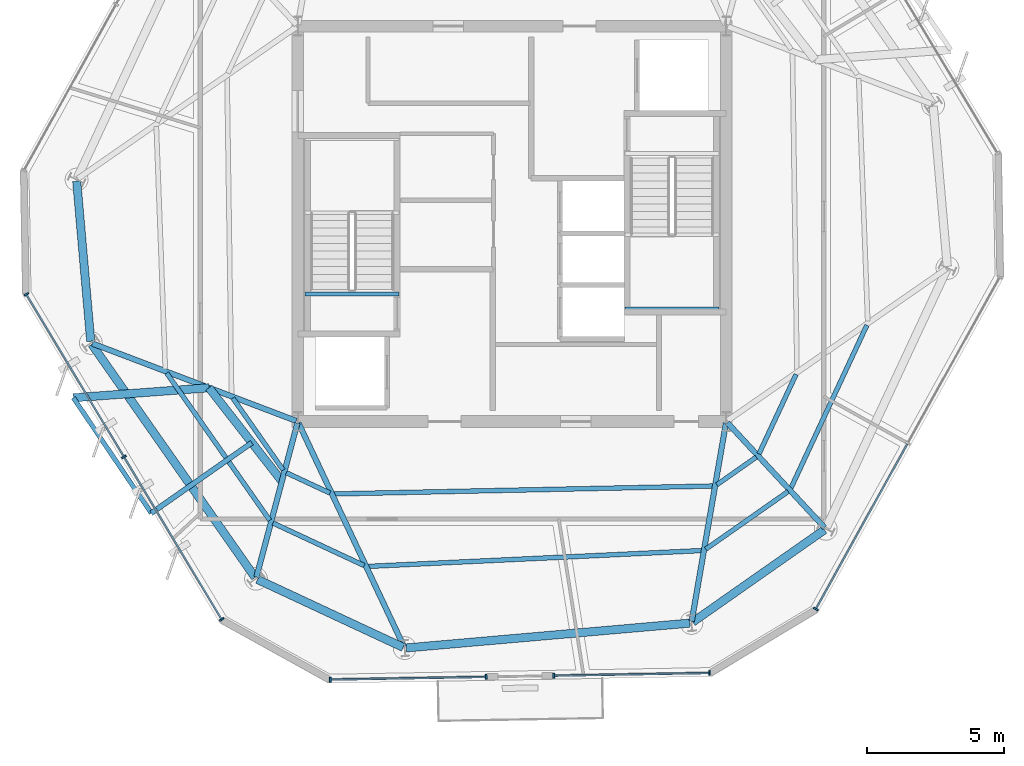
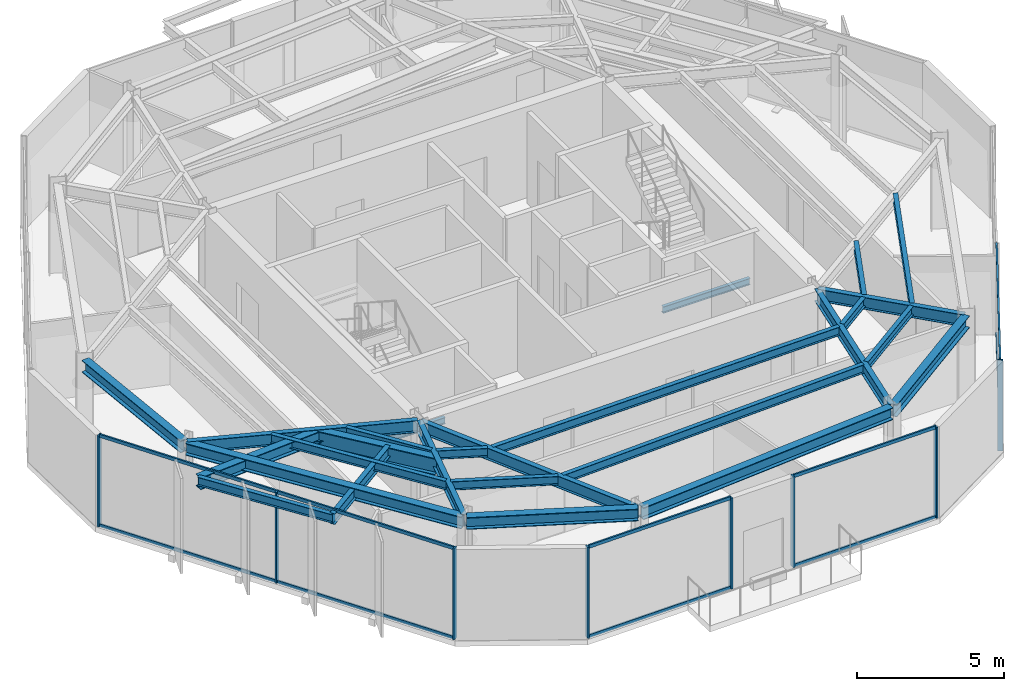
# One storey, part 2 of 12: 26 beams, 18 members, 4 elements without a shape of their own.
"""IFC4 building model written with IfcOpenShell, lengths in metres."""

from ifc_helpers import new_model, si_unit, direction, frame, origin, origin_2d, place, context, subcontext, project, spatial, rectangle, i_section, extrude, material, layer, layer_set, material_profile, profile_set, type_object, element, aggregate, save


model = new_model("IFC4")

# Units and contexts
model_context = context("Model", 3, precision=1e-05, world=origin(), true_north=direction((0.0, 1.0)))
body_context = subcontext(model_context, "Body", "Model", "MODEL_VIEW")
ifc_project = project(units=[si_unit("LENGTHUNIT", "METRE"), si_unit("AREAUNIT", "SQUARE_METRE"), si_unit("VOLUMEUNIT", "CUBIC_METRE"), si_unit("PLANEANGLEUNIT", "RADIAN"), si_unit("MASSUNIT", "GRAM", prefix="KILO")], contexts=[model_context])

# Site, building, storey
site_placement = place(None, origin())
site = spatial("IfcSite", under=ifc_project, at=site_placement, CompositionType="ELEMENT")
building_placement = place(site_placement, origin())
building = spatial("IfcBuilding", under=site, at=building_placement, Name="Kranzbogen Civic Tower", CompositionType="ELEMENT")
storey_placement = place(building_placement, frame((0.0, 0.0, 270.199951171875)))
storey = spatial("IfcBuildingStorey", under=building, at=storey_placement, Name="L65", CompositionType="ELEMENT", Elevation=270.199951171875)

# Beam
ifc_material_1 = material(Name="Steel S355", Category="steel")
ifc_material_profile_1 = material_profile(ifc_material_1, i_section(OverallWidth=0.18994140625, OverallDepth=0.449951171875, WebThickness=0.009521484375, FlangeThickness=0.0146484375, at=origin_2d()), Name="IPE 450")
ifc_profile_set_1 = profile_set([ifc_material_profile_1], Name="Steel S355")
beam_type_1 = type_object("IfcBeamType", Name="Braced Terrace Edge Beam IPE 450", PredefinedType="BEAM", material=ifc_profile_set_1)
beam_1_placement = place(storey_placement, frame((15.527099609375, 17.027099609375, 3.525146484375), z_axis=(-0.819154945562, -0.573572292882, 0.0), x_axis=(0.573572292882, -0.819154945562, 0.0)))
element("IfcBeam", 1, at=beam_1_placement, inside=storey, type_object=beam_type_1, Name="L66 back-spanned terrace beam L66-TB2-2", PredefinedType="BEAM", context=body_context, shape_type="SweptSolid", body=[
    extrude(i_section(OverallWidth=0.18994140625, OverallDepth=0.449951171875, WebThickness=0.009521484375, FlangeThickness=0.0146484375, at=origin_2d()), origin(), (0.0, 0.0, 1.0), 4.470703125),
])

# Curtain wall, members
ifc_material_2 = material(Name="Pale Anodised Aluminium", Category="aluminium")
ifc_layer = layer(ifc_material_2, 0.219970703125, Name="Pale Anodised Aluminium")
ifc_layer_set = layer_set([ifc_layer], Name="Pale Anodised Aluminium")
curtain_wall_type = type_object("IfcCurtainWallType", Name="Zone 4 Stick Curtain Wall System CW-05", PredefinedType="USERDEFINED", material=ifc_layer_set)
curtain_wall_1_placement = place(storey_placement, origin())
curtain_wall_1 = element("IfcCurtainWall", 2, at=curtain_wall_1_placement, inside=storey, type_object=curtain_wall_type, Name="L65 curtain wall CW-L65-F3", ObjectType="STICK CURTAIN WALL", PredefinedType="USERDEFINED")
ifc_material_profile_2 = material_profile(ifc_material_2, rectangle(XDim=0.06494140625, YDim=0.179931640625, at=origin_2d()), Name="ALU-M 65x180")
ifc_profile_set_2 = profile_set([ifc_material_profile_2], Name="Pale Anodised Aluminium")
member_type_1 = type_object("IfcMemberType", Name="Curtain Wall Mullion ALU-M 65x180", PredefinedType="MULLION", material=ifc_profile_set_2)
member_1_placement = place(storey_placement, frame((7.3173828125, 22.432373046875, 0.0), z_axis=(0.0, 0.0, 1.0), x_axis=(0.515046886883, -0.857162005873, 0.0)))
member_1 = element("IfcMember", 3, at=member_1_placement, type_object=member_type_1, Name="CW-05 mullion 1", PredefinedType="MULLION", context=body_context, shape_type="SweptSolid", body=[
    extrude(rectangle(XDim=0.06494140625, YDim=0.179931640625, at=origin_2d()), origin(), (0.0, 0.0, 1.0), 3.780029296875),
])
member_2_placement = place(storey_placement, frame((10.87451171875, 16.512451171875, 0.0), z_axis=(0.0, 0.0, 1.0), x_axis=(0.515046886883, -0.857162005873, 0.0)))
member_2 = element("IfcMember", 4, at=member_2_placement, type_object=member_type_1, Name="CW-05 mullion 2", PredefinedType="MULLION", context=body_context, shape_type="SweptSolid", body=[
    extrude(rectangle(XDim=0.06494140625, YDim=0.179931640625, at=origin_2d()), origin(), (0.0, 0.0, 1.0), 3.780029296875),
])
member_3_placement = place(storey_placement, frame((14.431640625, 10.5927734375, 0.0), z_axis=(0.0, 0.0, 1.0), x_axis=(0.515046886883, -0.857162005873, 0.0)))
member_3 = element("IfcMember", 5, at=member_3_placement, type_object=member_type_1, Name="CW-05 mullion 3", PredefinedType="MULLION", context=body_context, shape_type="SweptSolid", body=[
    extrude(rectangle(XDim=0.06494140625, YDim=0.179931640625, at=origin_2d()), origin(), (0.0, 0.0, 1.0), 3.780029296875),
])

curtain_wall_2_placement = place(storey_placement, origin())
curtain_wall_2 = element("IfcCurtainWall", 6, at=curtain_wall_2_placement, inside=storey, type_object=curtain_wall_type, Name="L65 curtain wall CW-L65-F4-S1", ObjectType="STICK CURTAIN WALL", PredefinedType="USERDEFINED")
member_4_placement = place(storey_placement, frame((18.382080078125, 8.402587890625, 0.0), z_axis=(0.0, 0.0, 1.0), x_axis=(0.999848066783, 0.017431102978, 0.0)))
member_4 = element("IfcMember", 7, at=member_4_placement, type_object=member_type_1, Name="CW-05 mullion 1", PredefinedType="MULLION", context=body_context, shape_type="SweptSolid", body=[
    extrude(rectangle(XDim=0.06494140625, YDim=0.179931640625, at=origin_2d()), origin(), (0.0, 0.0, 1.0), 3.780029296875),
])
member_5_placement = place(storey_placement, frame((24.05810546875, 8.50146484375, 0.0), z_axis=(0.0, 0.0, 1.0), x_axis=(0.999848066783, 0.017431102978, 0.0)))
member_5 = element("IfcMember", 8, at=member_5_placement, type_object=member_type_1, Name="CW-05 mullion 2", PredefinedType="MULLION", context=body_context, shape_type="SweptSolid", body=[
    extrude(rectangle(XDim=0.06494140625, YDim=0.179931640625, at=origin_2d()), origin(), (0.0, 0.0, 1.0), 3.780029296875),
])

curtain_wall_3_placement = place(storey_placement, origin())
curtain_wall_3 = element("IfcCurtainWall", 9, at=curtain_wall_3_placement, inside=storey, type_object=curtain_wall_type, Name="L65 curtain wall CW-L65-F4-S2", ObjectType="STICK CURTAIN WALL", PredefinedType="USERDEFINED")
member_6_placement = place(storey_placement, frame((26.51806640625, 8.54443359375, 0.0), z_axis=(0.0, 0.0, 1.0), x_axis=(0.999848013805, 0.017434141484, 0.0)))
member_6 = element("IfcMember", 10, at=member_6_placement, type_object=member_type_1, Name="CW-05 mullion 1", PredefinedType="MULLION", context=body_context, shape_type="SweptSolid", body=[
    extrude(rectangle(XDim=0.06494140625, YDim=0.179931640625, at=origin_2d()), origin(), (0.0, 0.0, 1.0), 3.780029296875),
])
member_7_placement = place(storey_placement, frame((32.193115234375, 8.6435546875, 0.0), z_axis=(0.0, 0.0, 1.0), x_axis=(0.999848013805, 0.017434141484, 0.0)))
member_7 = element("IfcMember", 11, at=member_7_placement, type_object=member_type_1, Name="CW-05 mullion 2", PredefinedType="MULLION", context=body_context, shape_type="SweptSolid", body=[
    extrude(rectangle(XDim=0.06494140625, YDim=0.179931640625, at=origin_2d()), origin(), (0.0, 0.0, 1.0), 3.780029296875),
])

# Curtain wall, member
curtain_wall_4_placement = place(storey_placement, origin())
curtain_wall_4 = element("IfcCurtainWall", 12, at=curtain_wall_4_placement, inside=storey, type_object=curtain_wall_type, Name="L65 curtain wall CW-L65-F5", ObjectType="STICK CURTAIN WALL", PredefinedType="USERDEFINED")
member_8_placement = place(storey_placement, frame((36.064453125, 10.97021484375, 0.0), z_axis=(0.0, 0.0, 1.0), x_axis=(0.484840955853, 0.874602336795, 0.0)))
member_8 = element("IfcMember", 13, at=member_8_placement, type_object=member_type_1, Name="CW-05 mullion 1", PredefinedType="MULLION", context=body_context, shape_type="SweptSolid", body=[
    extrude(rectangle(XDim=0.06494140625, YDim=0.179931640625, at=origin_2d()), origin(), (0.0, 0.0, 1.0), 3.780029296875),
])

# Member
ifc_material_profile_3 = material_profile(ifc_material_2, rectangle(XDim=0.06494140625, YDim=0.135009765625, at=origin_2d()), Name="ALU-T 65x135")
ifc_profile_set_3 = profile_set([ifc_material_profile_3], Name="Pale Anodised Aluminium")
member_type_2 = type_object("IfcMemberType", Name="Curtain Wall Transom ALU-T 65x135", PredefinedType="USERDEFINED", material=ifc_profile_set_3)
member_9_placement = place(storey_placement, frame((7.3330078125, 22.406494140625, 0.030029296875), z_axis=(0.515056786996, -0.857156057068, 0.0), x_axis=(0.857156057068, 0.515056786996, 0.0)))
member_9 = element("IfcMember", 14, at=member_9_placement, type_object=member_type_2, Name="CW-05 transom 1.1", ObjectType="TRANSOM", PredefinedType="USERDEFINED", context=body_context, shape_type="SweptSolid", body=[
    extrude(rectangle(XDim=0.06494140625, YDim=0.135009765625, at=origin_2d()), origin(), (0.0, 0.0, 1.0), 6.84619140625),
])

member_10_placement = place(storey_placement, frame((7.3330078125, 22.406494140625, 3.75), z_axis=(0.515056786996, -0.857156057068, 0.0), x_axis=(0.857156057068, 0.515056786996, 0.0)))
member_10 = element("IfcMember", 15, at=member_10_placement, type_object=member_type_2, Name="CW-05 transom 1.2", ObjectType="TRANSOM", PredefinedType="USERDEFINED", context=body_context, shape_type="SweptSolid", body=[
    extrude(rectangle(XDim=0.06494140625, YDim=0.135009765625, at=origin_2d()), origin(), (0.0, 0.0, 1.0), 6.84619140625),
])

member_11_placement = place(storey_placement, frame((10.889892578125, 16.48681640625, 0.030029296875), z_axis=(0.515041043476, -0.857165517001, 0.0), x_axis=(0.857165517001, 0.515041043476, 0.0)))
member_11 = element("IfcMember", 16, at=member_11_placement, type_object=member_type_2, Name="CW-05 transom 2.1", ObjectType="TRANSOM", PredefinedType="USERDEFINED", context=body_context, shape_type="SweptSolid", body=[
    extrude(rectangle(XDim=0.06494140625, YDim=0.135009765625, at=origin_2d()), origin(), (0.0, 0.0, 1.0), 6.84619140625),
])

member_12_placement = place(storey_placement, frame((10.889892578125, 16.48681640625, 3.75), z_axis=(0.515041043476, -0.857165517001, 0.0), x_axis=(0.857165517001, 0.515041043476, 0.0)))
member_12 = element("IfcMember", 17, at=member_12_placement, type_object=member_type_2, Name="CW-05 transom 2.2", ObjectType="TRANSOM", PredefinedType="USERDEFINED", context=body_context, shape_type="SweptSolid", body=[
    extrude(rectangle(XDim=0.06494140625, YDim=0.135009765625, at=origin_2d()), origin(), (0.0, 0.0, 1.0), 6.84619140625),
])

aggregate(curtain_wall_1, [member_1, member_2, member_3, member_9, member_10, member_11, member_12])

member_13_placement = place(storey_placement, frame((18.412109375, 8.403076171875, 0.030029296875), z_axis=(0.999848088441, 0.017429860604, 0.0), x_axis=(-0.017429860604, 0.999848088441, 0.0)))
member_13 = element("IfcMember", 18, at=member_13_placement, type_object=member_type_2, Name="CW-05 transom 1.1", ObjectType="TRANSOM", PredefinedType="USERDEFINED", context=body_context, shape_type="SweptSolid", body=[
    extrude(rectangle(XDim=0.06494140625, YDim=0.135009765625, at=origin_2d()), origin(), (0.0, 0.0, 1.0), 5.61669921875),
])

member_14_placement = place(storey_placement, frame((18.412109375, 8.403076171875, 3.75), z_axis=(0.999848088441, 0.017429860604, 0.0), x_axis=(-0.017429860604, 0.999848088441, 0.0)))
member_14 = element("IfcMember", 19, at=member_14_placement, type_object=member_type_2, Name="CW-05 transom 1.2", ObjectType="TRANSOM", PredefinedType="USERDEFINED", context=body_context, shape_type="SweptSolid", body=[
    extrude(rectangle(XDim=0.06494140625, YDim=0.135009765625, at=origin_2d()), origin(), (0.0, 0.0, 1.0), 5.61669921875),
])

aggregate(curtain_wall_2, [member_4, member_5, member_13, member_14])

member_15_placement = place(storey_placement, frame((26.548095703125, 8.545166015625, 0.030029296875), z_axis=(0.999848035607, 0.017432891094, 0.0), x_axis=(-0.017432891094, 0.999848035607, 0.0)))
member_15 = element("IfcMember", 20, at=member_15_placement, type_object=member_type_2, Name="CW-05 transom 1.1", ObjectType="TRANSOM", PredefinedType="USERDEFINED", context=body_context, shape_type="SweptSolid", body=[
    extrude(rectangle(XDim=0.06494140625, YDim=0.135009765625, at=origin_2d()), origin(), (0.0, 0.0, 1.0), 5.61572265625),
])

member_16_placement = place(storey_placement, frame((26.548095703125, 8.545166015625, 3.75), z_axis=(0.999848035607, 0.017432891094, 0.0), x_axis=(-0.017432891094, 0.999848035607, 0.0)))
member_16 = element("IfcMember", 21, at=member_16_placement, type_object=member_type_2, Name="CW-05 transom 1.2", ObjectType="TRANSOM", PredefinedType="USERDEFINED", context=body_context, shape_type="SweptSolid", body=[
    extrude(rectangle(XDim=0.06494140625, YDim=0.135009765625, at=origin_2d()), origin(), (0.0, 0.0, 1.0), 5.61572265625),
])

aggregate(curtain_wall_3, [member_6, member_7, member_15, member_16])

member_17_placement = place(storey_placement, frame((36.0791015625, 10.99658203125, 0.030029296875), z_axis=(0.484837340713, 0.87460434086, 0.0), x_axis=(-0.87460434086, 0.484837340713, 0.0)))
member_17 = element("IfcMember", 22, at=member_17_placement, type_object=member_type_2, Name="CW-05 transom 1.1", ObjectType="TRANSOM", PredefinedType="USERDEFINED", context=body_context, shape_type="SweptSolid", body=[
    extrude(rectangle(XDim=0.06494140625, YDim=0.135009765625, at=origin_2d()), origin(), (0.0, 0.0, 1.0), 6.84619140625),
])

member_18_placement = place(storey_placement, frame((36.0791015625, 10.99658203125, 3.75), z_axis=(0.484837340713, 0.87460434086, 0.0), x_axis=(-0.87460434086, 0.484837340713, 0.0)))
member_18 = element("IfcMember", 23, at=member_18_placement, type_object=member_type_2, Name="CW-05 transom 1.2", ObjectType="TRANSOM", PredefinedType="USERDEFINED", context=body_context, shape_type="SweptSolid", body=[
    extrude(rectangle(XDim=0.06494140625, YDim=0.135009765625, at=origin_2d()), origin(), (0.0, 0.0, 1.0), 6.84619140625),
])

aggregate(curtain_wall_4, [member_8, member_17, member_18])

# Beams
ifc_material_profile_4 = material_profile(ifc_material_1, i_section(OverallWidth=0.300048828125, OverallDepth=0.5, WebThickness=0.014404296875, FlangeThickness=0.028076171875, at=origin_2d()), Name="HEB 500")
ifc_profile_set_4 = profile_set([ifc_material_profile_4], Name="Steel S355")
beam_type_2 = type_object("IfcBeamType", Name="Perimeter Tube Spandrel Beam HEB 500", PredefinedType="SPANDREL", material=ifc_profile_set_4)
beam_2_placement = place(storey_placement, frame((9.699951171875, 20.612060546875, 3.530029296875), z_axis=(0.573577759301, -0.819151117948, 0.0), x_axis=(0.819151117948, 0.573577759301, 0.0)))
element("IfcBeam", 24, at=beam_2_placement, inside=storey, type_object=beam_type_2, Name="L65 perimeter spandrel beam 01", PredefinedType="SPANDREL", context=body_context, shape_type="SweptSolid", body=[
    extrude(i_section(OverallWidth=0.300048828125, OverallDepth=0.5, WebThickness=0.014404296875, FlangeThickness=0.028076171875, at=origin_2d()), origin(), (0.0, 0.0, 1.0), 10.36328125),
])
beam_3_placement = place(storey_placement, frame((15.73193359375, 12.049072265625, 3.530029296875), z_axis=(0.906289661556, -0.422657129784, 0.0), x_axis=(0.422657129784, 0.906289661556, 0.0)))
element("IfcBeam", 25, at=beam_3_placement, inside=storey, type_object=beam_type_2, Name="L65 perimeter spandrel beam 02", PredefinedType="SPANDREL", context=body_context, shape_type="SweptSolid", body=[
    extrude(i_section(OverallWidth=0.300048828125, OverallDepth=0.5, WebThickness=0.014404296875, FlangeThickness=0.028076171875, at=origin_2d()), origin(), (0.0, 0.0, 1.0), 5.853759765625),
])
beam_4_placement = place(storey_placement, frame((21.15087890625, 9.554931640625, 3.530029296875), z_axis=(0.996186373839, 0.087250837114, 0.0), x_axis=(-0.087250837114, 0.996186373839, 0.0)))
element("IfcBeam", 26, at=beam_4_placement, inside=storey, type_object=beam_type_2, Name="L65 perimeter spandrel beam 03", PredefinedType="SPANDREL", context=body_context, shape_type="SweptSolid", body=[
    extrude(i_section(OverallWidth=0.300048828125, OverallDepth=0.5, WebThickness=0.014404296875, FlangeThickness=0.028076171875, at=origin_2d()), origin(), (0.0, 0.0, 1.0), 10.361572265625),
])
beam_5_placement = place(storey_placement, frame((31.58203125, 10.498046875, 3.530029296875), z_axis=(0.819059436004, 0.57370867197, 0.0), x_axis=(-0.57370867197, 0.819059436004, 0.0)))
element("IfcBeam", 27, at=beam_5_placement, inside=storey, type_object=beam_type_2, Name="L65 perimeter spandrel beam 04", PredefinedType="SPANDREL", context=body_context, shape_type="SweptSolid", body=[
    extrude(i_section(OverallWidth=0.300048828125, OverallDepth=0.5, WebThickness=0.014404296875, FlangeThickness=0.028076171875, at=origin_2d()), origin(), (0.0, 0.0, 1.0), 5.85302734375),
])
beam_6_placement = place(storey_placement, frame((9.14990234375, 26.550048828125, 3.530029296875), z_axis=(0.087326362434, -0.99617975608, 0.0), x_axis=(0.99617975608, 0.087326362434, 0.0)))
element("IfcBeam", 28, at=beam_6_placement, inside=storey, type_object=beam_type_2, Name="L65 perimeter spandrel beam 12", PredefinedType="SPANDREL", context=body_context, shape_type="SweptSolid", body=[
    extrude(i_section(OverallWidth=0.300048828125, OverallDepth=0.5, WebThickness=0.014404296875, FlangeThickness=0.028076171875, at=origin_2d()), origin(), (0.0, 0.0, 1.0), 5.8515625),
])
beam_7_placement = place(storey_placement, frame((13.966064453125, 19.028076171875, 3.5), z_axis=(-0.997279446419, -0.073713674102, 0.0), x_axis=(0.073713674102, -0.997279446419, 0.0)))
element("IfcBeam", 29, at=beam_7_placement, inside=storey, type_object=beam_type_2, Name="L66 back-spanned terrace beam L66-TB2-1", PredefinedType="SPANDREL", context=body_context, shape_type="SweptSolid", body=[
    extrude(i_section(OverallWidth=0.300048828125, OverallDepth=0.5, WebThickness=0.014404296875, FlangeThickness=0.028076171875, at=origin_2d()), origin(), (0.0, 0.0, 1.0), 4.951416015625),
])
ifc_material_profile_5 = material_profile(ifc_material_1, i_section(OverallWidth=0.300048828125, OverallDepth=0.699951171875, WebThickness=0.01708984375, FlangeThickness=0.031982421875, at=origin_2d()), Name="HEB 700")
ifc_profile_set_5 = profile_set([ifc_material_profile_5], Name="Steel S355")
beam_type_3 = type_object("IfcBeamType", Name="Perimeter Tube Spandrel Beam HEB 700", PredefinedType="SPANDREL", material=ifc_profile_set_5)
beam_8_placement = place(storey_placement, frame((13.966064453125, 19.028076171875, 3.400146484375), z_axis=(0.615153431403, -0.788407417414, 0.0), x_axis=(0.788407417414, 0.615153431403, 0.0)))
element("IfcBeam", 30, at=beam_8_placement, inside=storey, type_object=beam_type_3, Name="L66 balcony back-span header girder L66-TB2", PredefinedType="SPANDREL", context=body_context, shape_type="SweptSolid", body=[
    extrude(i_section(OverallWidth=0.300048828125, OverallDepth=0.699951171875, WebThickness=0.01708984375, FlangeThickness=0.031982421875, at=origin_2d()), origin(), (0.0, 0.0, 1.0), 4.317626953125),
])
ifc_material_profile_6 = material_profile(ifc_material_1, i_section(OverallWidth=0.199951171875, OverallDepth=0.5, WebThickness=0.01025390625, FlangeThickness=0.01611328125, at=origin_2d()), Name="IPE 500")
ifc_profile_set_6 = profile_set([ifc_material_profile_6], Name="Steel S355")
beam_type_4 = type_object("IfcBeamType", Name="Radial Tower Floor Girder IPE 500", PredefinedType="BEAM", material=ifc_profile_set_6)
beam_9_placement = place(storey_placement, frame((9.721923828125, 20.639892578125, 3.530029296875), z_axis=(0.934848709689, -0.355046320913, 0.0), x_axis=(0.355046320913, 0.934848709689, 0.0)))
element("IfcBeam", 31, at=beam_9_placement, inside=storey, type_object=beam_type_4, Name="L65 radial floor girder 01", PredefinedType="BEAM", context=body_context, shape_type="SweptSolid", body=[
    extrude(i_section(OverallWidth=0.199951171875, OverallDepth=0.5, WebThickness=0.01025390625, FlangeThickness=0.01611328125, at=origin_2d()), origin(), (0.0, 0.0, 1.0), 7.939453125),
])
beam_10_placement = place(storey_placement, frame((15.693115234375, 12.132080078125, 3.530029296875), z_axis=(0.257016017622, 0.966407143333, 0.0), x_axis=(-0.966407143333, 0.257016017622, 0.0)))
element("IfcBeam", 32, at=beam_10_placement, inside=storey, type_object=beam_type_4, Name="L65 radial floor girder 02", PredefinedType="BEAM", context=body_context, shape_type="SweptSolid", body=[
    extrude(i_section(OverallWidth=0.199951171875, OverallDepth=0.5, WebThickness=0.01025390625, FlangeThickness=0.01611328125, at=origin_2d()), origin(), (0.0, 0.0, 1.0), 5.804931640625),
])
beam_11_placement = place(storey_placement, frame((21.06494140625, 9.60400390625, 3.530029296875), z_axis=(-0.426460441273, 0.904506214478, 0.0), x_axis=(-0.904506214478, -0.426460441273, 0.0)))
element("IfcBeam", 33, at=beam_11_placement, inside=storey, type_object=beam_type_4, Name="L65 radial floor girder 03", PredefinedType="BEAM", context=body_context, shape_type="SweptSolid", body=[
    extrude(i_section(OverallWidth=0.199951171875, OverallDepth=0.5, WebThickness=0.01025390625, FlangeThickness=0.01611328125, at=origin_2d()), origin(), (0.0, 0.0, 1.0), 9.001708984375),
])
beam_12_placement = place(storey_placement, frame((31.54296875, 10.52294921875, 3.530029296875), z_axis=(0.170249558486, 0.985400978199, 0.0), x_axis=(-0.985400978199, 0.170249558486, 0.0)))
element("IfcBeam", 34, at=beam_12_placement, inside=storey, type_object=beam_type_4, Name="L65 radial floor girder 04", PredefinedType="BEAM", context=body_context, shape_type="SweptSolid", body=[
    extrude(i_section(OverallWidth=0.199951171875, OverallDepth=0.5, WebThickness=0.01025390625, FlangeThickness=0.01611328125, at=origin_2d()), origin(), (0.0, 0.0, 1.0), 7.324951171875),
])
beam_13_placement = place(storey_placement, frame((36.384033203125, 13.93408203125, 3.530029296875), z_axis=(-0.679827353702, 0.733372190064, 0.0), x_axis=(-0.733372190064, -0.679827353702, 0.0)))
element("IfcBeam", 35, at=beam_13_placement, inside=storey, type_object=beam_type_4, Name="L65 radial floor girder 05", PredefinedType="BEAM", context=body_context, shape_type="SweptSolid", body=[
    extrude(i_section(OverallWidth=0.199951171875, OverallDepth=0.5, WebThickness=0.01025390625, FlangeThickness=0.01611328125, at=origin_2d()), origin(), (0.0, 0.0, 1.0), 5.211669921875),
])
ifc_material_profile_7 = material_profile(ifc_material_1, i_section(OverallWidth=0.169921875, OverallDepth=0.360107421875, WebThickness=0.008056640625, FlangeThickness=0.0126953125, at=origin_2d()), Name="IPE 360")
ifc_profile_set_7 = profile_set([ifc_material_profile_7], Name="Steel S355")
beam_type_5 = type_object("IfcBeamType", Name="Secondary Composite Floor Joist IPE 360", PredefinedType="JOIST", material=ifc_profile_set_7)
beam_14_placement = place(storey_placement, frame((12.424072265625, 19.56591796875, 3.60009765625), z_axis=(0.573499872939, -0.819205649235, 0.0), x_axis=(0.819205649235, 0.573499872939, 0.0)))
element("IfcBeam", 36, at=beam_14_placement, inside=storey, type_object=beam_type_5, Name="L65 secondary floor joist 1.01", PredefinedType="JOIST", context=body_context, shape_type="SweptSolid", body=[
    extrude(i_section(OverallWidth=0.169921875, OverallDepth=0.360107421875, WebThickness=0.008056640625, FlangeThickness=0.0126953125, at=origin_2d()), origin(), (0.0, 0.0, 1.0), 6.549072265625),
])
beam_15_placement = place(storey_placement, frame((14.8349609375, 18.64990234375, 3.60009765625), z_axis=(0.573498248491, -0.819206786457, 0.0), x_axis=(0.819206786457, 0.573498248491, 0.0)))
element("IfcBeam", 37, at=beam_15_placement, inside=storey, type_object=beam_type_5, Name="L65 secondary floor joist 2.01", PredefinedType="JOIST", context=body_context, shape_type="SweptSolid", body=[
    extrude(i_section(OverallWidth=0.169921875, OverallDepth=0.360107421875, WebThickness=0.008056640625, FlangeThickness=0.0126953125, at=origin_2d()), origin(), (0.0, 0.0, 1.0), 3.194580078125),
])
beam_16_placement = place(storey_placement, frame((16.298095703125, 14.10205078125, 3.60009765625), z_axis=(0.906303996948, -0.422626389517, 0.0), x_axis=(0.422626389517, 0.906303996948, 0.0)))
element("IfcBeam", 38, at=beam_16_placement, inside=storey, type_object=beam_type_5, Name="L65 secondary floor joist 1.02", PredefinedType="JOIST", context=body_context, shape_type="SweptSolid", body=[
    extrude(i_section(OverallWidth=0.169921875, OverallDepth=0.360107421875, WebThickness=0.008056640625, FlangeThickness=0.0126953125, at=origin_2d()), origin(), (0.0, 0.0, 1.0), 3.6630859375),
])
beam_17_placement = place(storey_placement, frame((16.784912109375, 15.93408203125, 3.60009765625), z_axis=(0.906432174342, -0.422351409751, 0.0), x_axis=(0.422351409751, 0.906432174342, 0.0)))
element("IfcBeam", 39, at=beam_17_placement, inside=storey, type_object=beam_type_5, Name="L65 secondary floor joist 2.02", PredefinedType="JOIST", context=body_context, shape_type="SweptSolid", body=[
    extrude(i_section(OverallWidth=0.169921875, OverallDepth=0.360107421875, WebThickness=0.008056640625, FlangeThickness=0.0126953125, at=origin_2d()), origin(), (0.0, 0.0, 1.0), 1.751953125),
])
beam_18_placement = place(storey_placement, frame((19.77001953125, 12.52392578125, 3.60009765625), z_axis=(0.998871634781, 0.047491654324, 0.0), x_axis=(-0.047491654324, 0.998871634781, 0.0)))
element("IfcBeam", 40, at=beam_18_placement, inside=storey, type_object=beam_type_5, Name="L65 secondary floor joist 1.03", PredefinedType="JOIST", context=body_context, shape_type="SweptSolid", body=[
    extrude(i_section(OverallWidth=0.169921875, OverallDepth=0.360107421875, WebThickness=0.008056640625, FlangeThickness=0.0126953125, at=origin_2d()), origin(), (0.0, 0.0, 1.0), 12.152587890625),
])
beam_19_placement = place(storey_placement, frame((18.52490234375, 15.162109375, 3.60009765625), z_axis=(0.999780746893, 0.020939392104, 0.0), x_axis=(-0.020939392104, 0.999780746893, 0.0)))
element("IfcBeam", 41, at=beam_19_placement, inside=storey, type_object=beam_type_5, Name="L65 secondary floor joist 2.03", PredefinedType="JOIST", context=body_context, shape_type="SweptSolid", body=[
    extrude(i_section(OverallWidth=0.169921875, OverallDepth=0.360107421875, WebThickness=0.008056640625, FlangeThickness=0.0126953125, at=origin_2d()), origin(), (0.0, 0.0, 1.0), 13.79296875),
])
beam_20_placement = place(storey_placement, frame((32.054931640625, 13.15087890625, 3.60009765625), z_axis=(0.819006333711, 0.573784476385, 0.0), x_axis=(-0.573784476385, 0.819006333711, 0.0)))
element("IfcBeam", 42, at=beam_20_placement, inside=storey, type_object=beam_type_5, Name="L65 secondary floor joist 1.04", PredefinedType="JOIST", context=body_context, shape_type="SweptSolid", body=[
    extrude(i_section(OverallWidth=0.169921875, OverallDepth=0.360107421875, WebThickness=0.008056640625, FlangeThickness=0.0126953125, at=origin_2d()), origin(), (0.0, 0.0, 1.0), 3.661865234375),
])
beam_21_placement = place(storey_placement, frame((32.4599609375, 15.498046875, 3.60009765625), z_axis=(0.818956727849, 0.573855276103, 0.0), x_axis=(-0.573855276103, 0.818956727849, 0.0)))
element("IfcBeam", 43, at=beam_21_placement, inside=storey, type_object=beam_type_5, Name="L65 secondary floor joist 2.04", PredefinedType="JOIST", context=body_context, shape_type="SweptSolid", body=[
    extrude(i_section(OverallWidth=0.169921875, OverallDepth=0.360107421875, WebThickness=0.008056640625, FlangeThickness=0.0126953125, at=origin_2d()), origin(), (0.0, 0.0, 1.0), 1.751220703125),
])
beam_22_placement = place(storey_placement, frame((35.154052734375, 15.3701171875, 3.60009765625), z_axis=(0.422542528713, 0.906343098075, 0.0), x_axis=(-0.906343098075, 0.422542528713, 0.0)))
element("IfcBeam", 44, at=beam_22_placement, inside=storey, type_object=beam_type_5, Name="L65 secondary floor joist 1.05", PredefinedType="JOIST", context=body_context, shape_type="SweptSolid", body=[
    extrude(i_section(OverallWidth=0.169921875, OverallDepth=0.360107421875, WebThickness=0.008056640625, FlangeThickness=0.0126953125, at=origin_2d()), origin(), (0.0, 0.0, 1.0), 6.548095703125),
])
beam_23_placement = place(storey_placement, frame((33.993896484375, 16.62109375, 3.60009765625), z_axis=(0.422651143991, 0.906292453065, 0.0), x_axis=(-0.906292453065, 0.422651143991, 0.0)))
element("IfcBeam", 45, at=beam_23_placement, inside=storey, type_object=beam_type_5, Name="L65 secondary floor joist 2.05", PredefinedType="JOIST", context=body_context, shape_type="SweptSolid", body=[
    extrude(i_section(OverallWidth=0.169921875, OverallDepth=0.360107421875, WebThickness=0.008056640625, FlangeThickness=0.0126953125, at=origin_2d()), origin(), (0.0, 0.0, 1.0), 3.1943359375),
])
beam_24_placement = place(storey_placement, frame((9.028076171875, 18.6630859375, 3.570068359375), z_axis=(0.559714396069, -0.828685582614, 0.0), x_axis=(0.828685582614, 0.559714396069, 0.0)))
element("IfcBeam", 46, at=beam_24_placement, inside=storey, type_object=beam_type_5, Name="L66 terrace outer edge trimmer L66-TB2", PredefinedType="JOIST", context=body_context, shape_type="SweptSolid", body=[
    extrude(i_section(OverallWidth=0.169921875, OverallDepth=0.360107421875, WebThickness=0.008056640625, FlangeThickness=0.0126953125, at=origin_2d()), origin(), (0.0, 0.0, 1.0), 5.068603515625),
])
ifc_material_profile_8 = material_profile(ifc_material_1, i_section(OverallWidth=0.135009765625, OverallDepth=0.27001953125, WebThickness=0.006591796875, FlangeThickness=0.01025390625, at=origin_2d()), Name="IPE 270")
ifc_profile_set_8 = profile_set([ifc_material_profile_8], Name="Steel S355")
beam_type_6 = type_object("IfcBeamType", Name="Stair Landing Support Beam IPE 270", PredefinedType="JOIST", material=ifc_profile_set_8)
for number, where, z_axis, x_axis, name in (
    (47, (20.8798828125, 22.43994140625, -0.35498046875), (-1.0, 0.0, 0.0), (0.0, -1.0, 0.0), "L65 ST-T1 stair floor header beam"),
    (48, (29.1201171875, 21.89990234375, 1.6650390625), (1.0, 0.0, 0.0), (0.0, 1.0, 0.0), "L65 ST-T2 landing support beam 1.2"),
):
    element("IfcBeam", number, at=place(storey_placement, frame(where, z_axis=z_axis, x_axis=x_axis)), inside=storey, type_object=beam_type_6, Name=name, PredefinedType="JOIST", context=body_context, shape_type="SweptSolid", body=[
        extrude(i_section(OverallWidth=0.135009765625, OverallDepth=0.27001953125, WebThickness=0.006591796875, FlangeThickness=0.01025390625, at=origin_2d()), origin(), (0.0, 0.0, 1.0), 3.409912109375),
    ])

save(model, "model.ifc")
